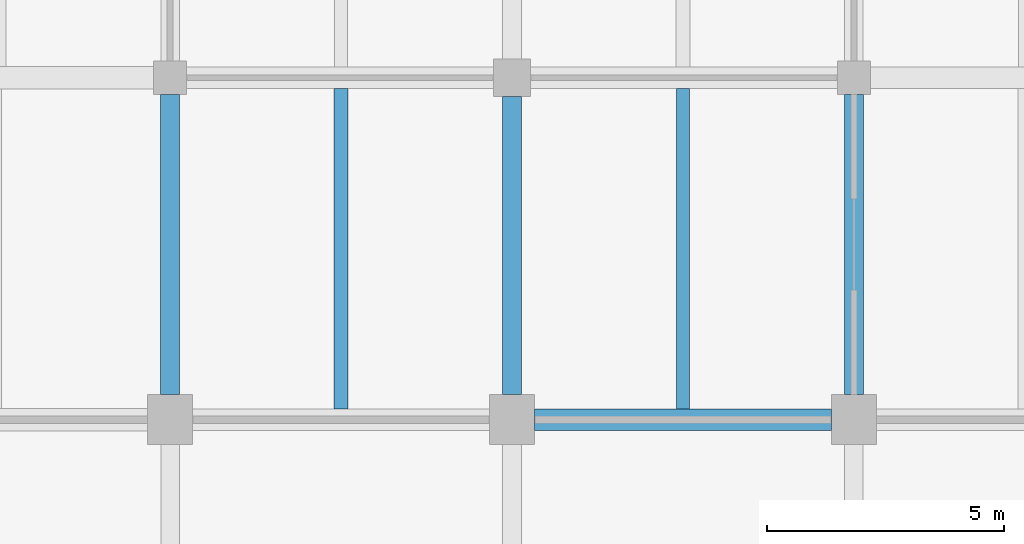
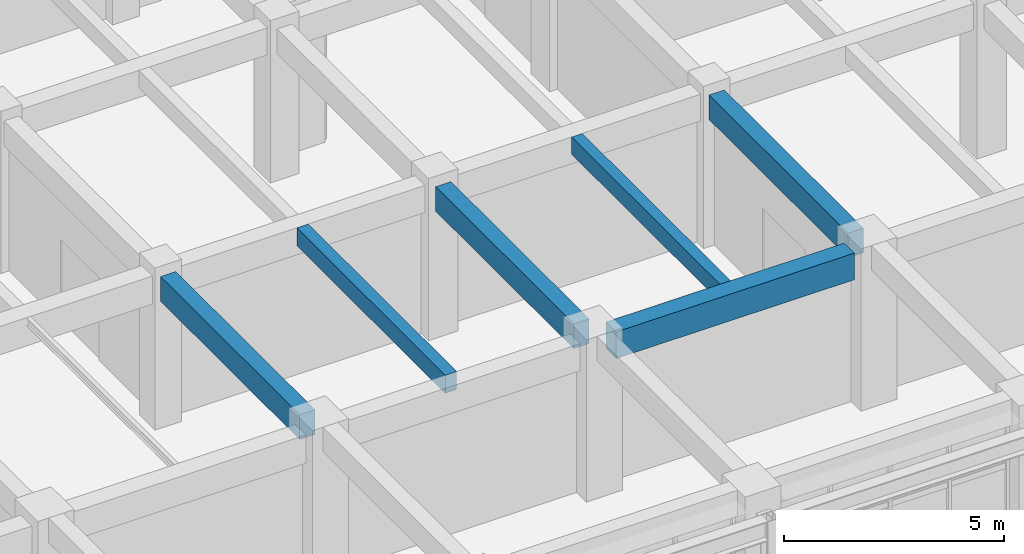
# One storey, part 100 of 171: 6 beams.
"""IFC4 building model written with IfcOpenShell, lengths in metres."""

from ifc_helpers import new_model, si_unit, direction, frame, origin, origin_2d, place, context, subcontext, project, spatial, rectangle, extrude, material, material_profile, profile_set, type_object, element, save


model = new_model("IFC4")

# Units and contexts
model_context = context("Model", 3, precision=1e-05, world=origin(), true_north=direction((0.0, 1.0)))
body_context = subcontext(model_context, "Body", "Model", "MODEL_VIEW")
ifc_project = project(units=[si_unit("LENGTHUNIT", "METRE"), si_unit("AREAUNIT", "SQUARE_METRE"), si_unit("VOLUMEUNIT", "CUBIC_METRE"), si_unit("PLANEANGLEUNIT", "RADIAN"), si_unit("MASSUNIT", "GRAM", prefix="KILO")], contexts=[model_context])

# Site, building, storey
site_placement = place(None, origin())
site = spatial("IfcSite", under=ifc_project, at=site_placement, CompositionType="ELEMENT")
building_placement = place(site_placement, origin())
building = spatial("IfcBuilding", under=site, at=building_placement, Name="Thalmaran Polytechnic", CompositionType="ELEMENT")
storey_placement = place(building_placement, frame((0.0, 0.0, 5.39990234375)))
storey = spatial("IfcBuildingStorey", under=building, at=storey_placement, Name="L01", CompositionType="ELEMENT", Elevation=5.39990234375)

# Beams
ifc_material = material(Name="Concrete C40/50", Category="concrete")
ifc_material_profile_1 = material_profile(ifc_material, rectangle(XDim=0.300048828125, YDim=0.5, at=origin_2d()), Name="RC 300x500")
ifc_profile_set_1 = profile_set([ifc_material_profile_1], Name="Concrete C40/50")
beam_type_1 = type_object("IfcBeamType", Name="BM-RC11", PredefinedType="JOIST", material=ifc_profile_set_1)
beam_1_placement = place(storey_placement, frame((147.60009765625, 57.824951171875, 3.960205078125), z_axis=(0.0, 1.0, 0.0), x_axis=(-1.0, 0.0, 0.0)))
element("IfcBeam", 1, at=beam_1_placement, inside=storey, type_object=beam_type_1, Name="Secondary Floor Rib RB01 L01 (20,8)", PredefinedType="JOIST", context=body_context, shape_type="SweptSolid", body=[
    extrude(rectangle(XDim=0.300048828125, YDim=0.5, at=origin_2d()), origin(), (0.0, 0.0, 1.0), 6.75),
])
ifc_material_profile_2 = material_profile(ifc_material, rectangle(XDim=0.4599609375, YDim=0.739990234375, at=origin_2d()), Name="RC 460x740")
ifc_profile_set_2 = profile_set([ifc_material_profile_2], Name="Concrete C40/50")
beam_type_2 = type_object("IfcBeamType", Name="BM-ZB02", PredefinedType="BEAM", material=ifc_profile_set_2)
beam_2_placement = place(storey_placement, frame((151.675048828125, 57.60009765625, 3.840087890625), z_axis=(1.0, 0.0, 0.0), x_axis=(0.0, 1.0, 0.0)))
element("IfcBeam", 2, at=beam_2_placement, inside=storey, type_object=beam_type_2, Name="Grid Beam ZB02 L01 X(21,8)", PredefinedType="BEAM", context=body_context, shape_type="SweptSolid", body=[
    extrude(rectangle(XDim=0.4599609375, YDim=0.739990234375, at=origin_2d()), origin(), (0.0, 0.0, 1.0), 6.25),
])
ifc_material_profile_3 = material_profile(ifc_material, rectangle(XDim=0.39990234375, YDim=0.68505859375, at=origin_2d()), Name="RC 400x685")
ifc_profile_set_3 = profile_set([ifc_material_profile_3], Name="Concrete C40/50")
beam_type_3 = type_object("IfcBeamType", Name="BM-ZB07", PredefinedType="BEAM", material=ifc_profile_set_3)
beam_3_placement = place(storey_placement, frame((144.0, 58.125, 3.86767578125), z_axis=(0.0, 1.0, 0.0), x_axis=(-1.0, 0.0, 0.0)))
element("IfcBeam", 3, at=beam_3_placement, inside=storey, type_object=beam_type_3, Name="Grid Beam ZB07 L01 Y(20,8)", PredefinedType="BEAM", context=body_context, shape_type="SweptSolid", body=[
    extrude(rectangle(XDim=0.39990234375, YDim=0.68505859375, at=origin_2d()), origin(), (0.0, 0.0, 1.0), 6.324951171875),
])
beam_4_placement = place(storey_placement, frame((151.199951171875, 58.125, 3.86767578125), z_axis=(0.0, 1.0, 0.0), x_axis=(-1.0, 0.0, 0.0)))
element("IfcBeam", 4, at=beam_4_placement, inside=storey, type_object=beam_type_3, Name="Grid Beam ZB07 L01 Y(21,8)", PredefinedType="BEAM", context=body_context, shape_type="SweptSolid", body=[
    extrude(rectangle(XDim=0.39990234375, YDim=0.68505859375, at=origin_2d()), origin(), (0.0, 0.0, 1.0), 6.284912109375),
])
beam_5_placement = place(storey_placement, frame((158.39990234375, 58.125, 3.86767578125), z_axis=(0.0, 1.0, 0.0), x_axis=(-1.0, 0.0, 0.0)))
element("IfcBeam", 5, at=beam_5_placement, inside=storey, type_object=beam_type_3, Name="Grid Beam ZB07 L01 Y(22,8)", PredefinedType="BEAM", context=body_context, shape_type="SweptSolid", body=[
    extrude(rectangle(XDim=0.39990234375, YDim=0.68505859375, at=origin_2d()), origin(), (0.0, 0.0, 1.0), 6.324951171875),
])
ifc_material_profile_4 = material_profile(ifc_material, rectangle(XDim=0.280029296875, YDim=0.47998046875, at=origin_2d()), Name="RC 280x480")
ifc_profile_set_4 = profile_set([ifc_material_profile_4], Name="Concrete C40/50")
beam_type_4 = type_object("IfcBeamType", Name="BM-ZJ01", PredefinedType="JOIST", material=ifc_profile_set_4)
beam_6_placement = place(storey_placement, frame((154.800048828125, 57.830078125, 3.97021484375), z_axis=(0.0, 1.0, 0.0), x_axis=(-1.0, 0.0, 0.0)))
element("IfcBeam", 6, at=beam_6_placement, inside=storey, type_object=beam_type_4, Name="Secondary Floor Rib ZJ01 L01 (21,8)", PredefinedType="JOIST", context=body_context, shape_type="SweptSolid", body=[
    extrude(rectangle(XDim=0.280029296875, YDim=0.47998046875, at=origin_2d()), origin(), (0.0, 0.0, 1.0), 6.739990234375),
])

save(model, "model.ifc")
